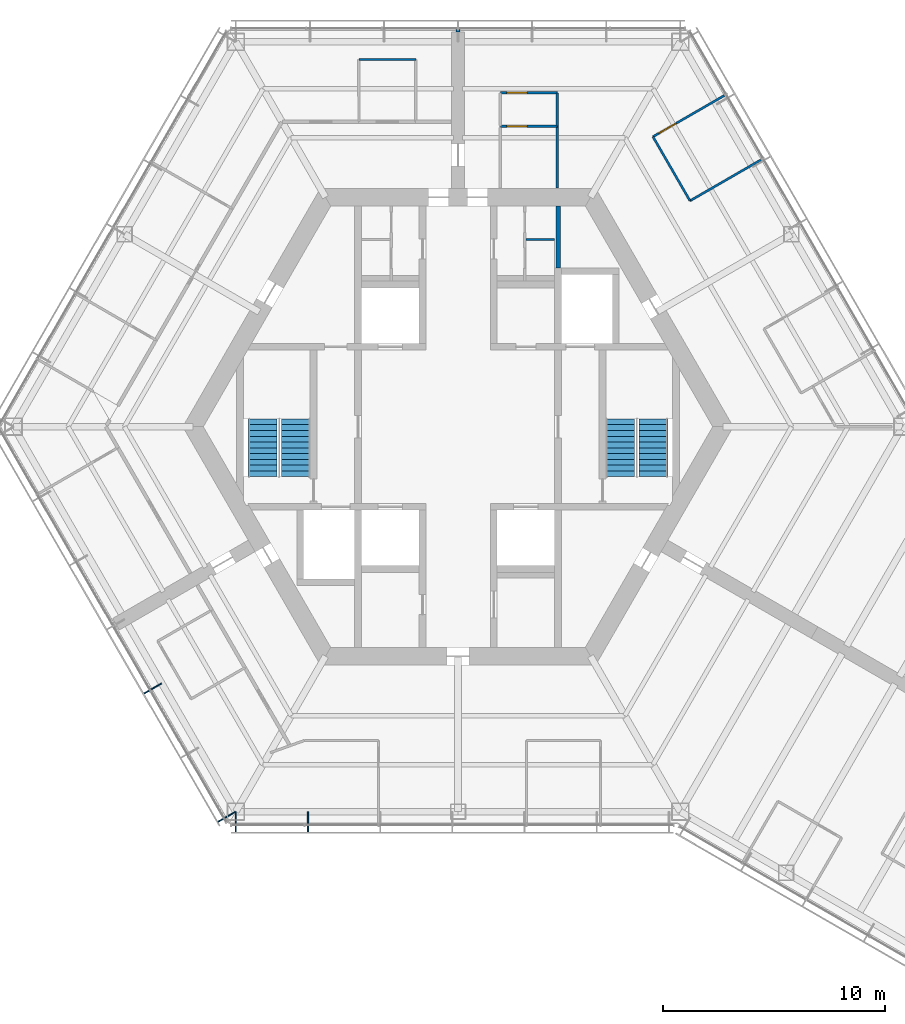
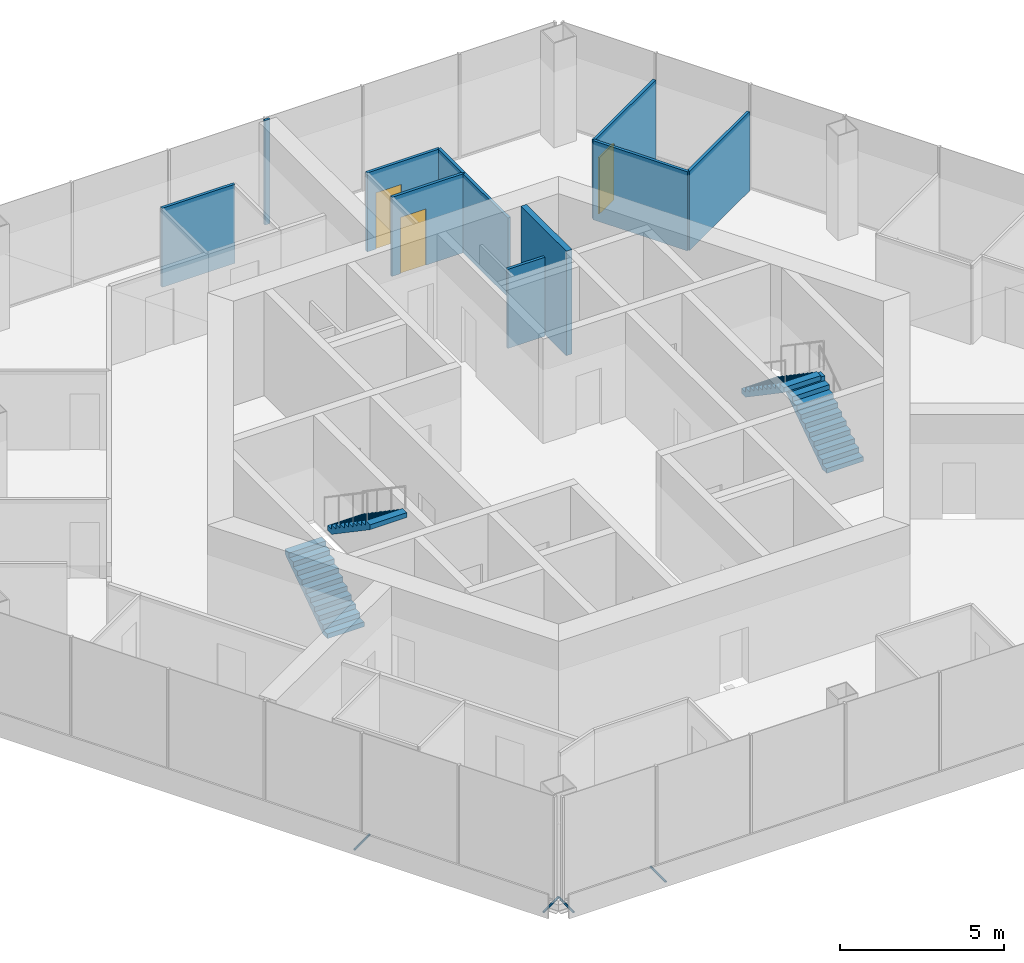
# One storey, part 13 of 16: 11 walls, 4 discrete accessories, 4 stair flights, 3 doors, 3 openings, 2 elements without a shape of their own.
"""IFC4 building model written with IfcOpenShell, lengths in metres."""

from ifc_helpers import new_model, si_unit, direction, frame, frame_2d, origin, origin_2d, place, context, subcontext, project, spatial, polyline, rectangle, hollow_circle, outline, extrude, material, layer, layer_set, material_profile, profile_set, type_object, element, fill, aggregate, save


model = new_model("IFC4")

# Units and contexts
model_context = context("Model", 3, precision=1e-05, world=origin(), true_north=direction((0.0, 1.0)))
body_context = subcontext(model_context, "Body", "Model", "MODEL_VIEW")
ifc_project = project(units=[si_unit("LENGTHUNIT", "METRE"), si_unit("AREAUNIT", "SQUARE_METRE"), si_unit("VOLUMEUNIT", "CUBIC_METRE"), si_unit("PLANEANGLEUNIT", "RADIAN"), si_unit("MASSUNIT", "GRAM", prefix="KILO")], contexts=[model_context])

# Site, building, storey
site_placement = place(None, origin())
site = spatial("IfcSite", under=ifc_project, at=site_placement, CompositionType="ELEMENT")
building_placement = place(site_placement, origin())
building = spatial("IfcBuilding", under=site, at=building_placement, Name="Kasaneha Research Tower", CompositionType="ELEMENT")
storey_placement = place(building_placement, frame((0.0, 0.0, 251.800048828125)))
storey = spatial("IfcBuildingStorey", under=building, at=storey_placement, Name="L63", CompositionType="ELEMENT", Elevation=251.800048828125)

# Wall
ifc_material_1 = material(Name="Gypsum board on steel studs, one layer each side", Category="steel")
ifc_layer_1 = layer(ifc_material_1, 0.10009765625)
ifc_layer_set_1 = layer_set([ifc_layer_1], Name="Office partition 100")
wall_type_1 = type_object("IfcWallType", Name="Office partition 100", PredefinedType="PARTITIONING", material=ifc_layer_set_1)
wall_1_placement = place(storey_placement, frame((3.050048828125, 8.425048828125, 0.0), z_axis=(0.0, 0.0, 1.0), x_axis=(1.0, 0.0, 0.0)))
element("IfcWall", 1, at=wall_1_placement, inside=storey, type_object=wall_type_1, Name="Office partition TBF2 L63", PredefinedType="PARTITIONING", context=body_context, shape_type="SweptSolid", body=[
    extrude(rectangle(XDim=1.300048828125, YDim=0.10009765625, at=frame_2d((0.64990234375, 0.0))), origin(), (0.0, 0.0, 1.0), 2.949951171875),
])

# Wall, opening, door
wall_2_placement = place(storey_placement, frame((1.89990234375, 13.52001953125, 0.0), z_axis=(0.0, 0.0, 1.0), x_axis=(1.0, 0.0, 0.0)))
wall_2 = element("IfcWall", 2, at=wall_2_placement, inside=storey, type_object=wall_type_1, Name="Office partition FAE01 L63", PredefinedType="PARTITIONING", context=body_context, shape_type="SweptSolid", body=[
    extrude(rectangle(XDim=2.565185546875, YDim=0.10009765625, at=frame_2d((1.28271484375, 0.0))), origin(), (0.0, 0.0, 1.0), 2.949951171875),
])
opening_1_placement = place(wall_2_placement, frame((0.300048828125, 0.0, 0.0)))
opening_1 = element("IfcOpeningElement", 3, at=opening_1_placement, cuts=wall_2, Name="Opening L63-D25", PredefinedType="OPENING", context=body_context, shape_type="SweptSolid", body=[
    extrude(rectangle(XDim=0.89990234375, YDim=2.10009765625, at=frame_2d((0.449951171875, 1.050048828125))), frame((0.0, 0.06005859375, 0.0), z_axis=(0.0, -1.0, 0.0), x_axis=(1.0, 0.0, 0.0)), (0.0, 0.0, 1.0), 0.1201171875),
])
ifc_material_2 = material(Name="Steel", Category="steel")
door_type_1 = type_object("IfcDoorType", Name="Toilet lobby door FD30 900x2100", OperationType="NOTDEFINED", PredefinedType="DOOR", material=ifc_material_2)
door_1_placement = place(opening_1_placement, origin())
door_1 = element("IfcDoor", 4, at=door_1_placement, inside=storey, type_object=door_type_1, Name="Women's WC door L63-D25", OperationType="SINGLE_SWING_LEFT", OverallHeight=2.10009765625, OverallWidth=0.89990234375, PredefinedType="DOOR", context=body_context, shape_type="SweptSolid", body=[
    extrude(rectangle(XDim=0.89990234375, YDim=2.10009765625, at=frame_2d((0.449951171875, 1.050048828125))), frame((0.0, 0.02490234375, 0.0), z_axis=(0.0, -1.0, 0.0), x_axis=(1.0, 0.0, 0.0)), (0.0, 0.0, 1.0), 0.050048828125),
])
fill(opening_1, door_1)

# Wall
wall_3_placement = place(storey_placement, frame((4.46044921875, 13.52490234375, 0.0), z_axis=(0.0, 0.0, 1.0), x_axis=(0.001668713644, -0.999998607696, 0.0)))
element("IfcWall", 5, at=wall_3_placement, inside=storey, type_object=wall_type_1, Name="Office partition FAE03 L63", PredefinedType="PARTITIONING", context=body_context, shape_type="SweptSolid", body=[
    extrude(rectangle(XDim=2.77978515625, YDim=0.10009765625, at=frame_2d((1.389892578125, 0.0))), origin(), (0.0, 0.0, 1.0), 2.949951171875),
])

# Wall, opening, door
wall_4_placement = place(storey_placement, frame((1.89990234375, 15.02490234375, 0.0), z_axis=(0.0, 0.0, 1.0), x_axis=(1.0, 0.0, 0.0)))
wall_4 = element("IfcWall", 6, at=wall_4_placement, inside=storey, type_object=wall_type_1, Name="Office partition FAE04 L63", PredefinedType="PARTITIONING", context=body_context, shape_type="SweptSolid", body=[
    extrude(rectangle(XDim=2.565185546875, YDim=0.10009765625, at=frame_2d((1.28271484375, 0.0))), origin(), (0.0, 0.0, 1.0), 2.949951171875),
])
opening_2_placement = place(wall_4_placement, frame((0.300048828125, 0.0, 0.0)))
opening_2 = element("IfcOpeningElement", 7, at=opening_2_placement, cuts=wall_4, Name="Opening L63-D26", PredefinedType="OPENING", context=body_context, shape_type="SweptSolid", body=[
    extrude(rectangle(XDim=0.89990234375, YDim=2.10009765625, at=frame_2d((0.449951171875, 1.050048828125))), frame((0.0, 0.06005859375, 0.0), z_axis=(0.0, -1.0, 0.0), x_axis=(1.0, 0.0, 0.0)), (0.0, 0.0, 1.0), 0.1201171875),
])
door_2_placement = place(opening_2_placement, origin())
door_2 = element("IfcDoor", 8, at=door_2_placement, inside=storey, type_object=door_type_1, Name="Toilet lobby door L63-D26", OperationType="SINGLE_SWING_LEFT", OverallHeight=2.10009765625, OverallWidth=0.89990234375, PredefinedType="DOOR", context=body_context, shape_type="SweptSolid", body=[
    extrude(rectangle(XDim=0.89990234375, YDim=2.10009765625, at=frame_2d((0.449951171875, 1.050048828125))), frame((0.0, 0.02490234375, 0.0), z_axis=(0.0, -1.0, 0.0), x_axis=(1.0, 0.0, 0.0)), (0.0, 0.0, 1.0), 0.050048828125),
])
fill(opening_2, door_2)

# Wall
wall_5_placement = place(storey_placement, frame((4.465087890625, 15.02490234375, 0.0), z_axis=(0.0, 0.0, 1.0), x_axis=(-0.00309243313, -0.999995218417, 0.0)))
element("IfcWall", 9, at=wall_5_placement, inside=storey, type_object=wall_type_1, Name="Office partition FAE06 L63", PredefinedType="PARTITIONING", context=body_context, shape_type="SweptSolid", body=[
    extrude(rectangle(XDim=1.5, YDim=0.10009765625, at=frame_2d((0.75, 0.0))), origin(), (0.0, 0.0, 1.0), 2.949951171875),
])

# Wall, opening, door
wall_6_placement = place(storey_placement, frame((8.77099609375, 13.04931640625, 0.0), z_axis=(0.0, 0.0, 1.0), x_axis=(0.866023396066, 0.500003477455, 0.0)))
wall_6 = element("IfcWall", 10, at=wall_6_placement, inside=storey, type_object=wall_type_1, Name="Office partition FAE11 L63", PredefinedType="PARTITIONING", context=body_context, shape_type="SweptSolid", body=[
    extrude(rectangle(XDim=3.7099609375, YDim=0.10009765625, at=frame_2d((1.85498046875, 0.0))), origin(), (0.0, 0.0, 1.0), 2.949951171875),
])
opening_3_placement = place(wall_6_placement, frame((0.300048828125, 0.0, 0.0)))
opening_3 = element("IfcOpeningElement", 11, at=opening_3_placement, cuts=wall_6, Name="Opening L63-D28", PredefinedType="OPENING", context=body_context, shape_type="SweptSolid", body=[
    extrude(rectangle(XDim=0.89990234375, YDim=2.10009765625, at=frame_2d((0.449951171875, 1.050048828125))), frame((0.0, 0.06005859375, 0.0), z_axis=(0.0, -1.0, 0.0), x_axis=(1.0, 0.0, 0.0)), (0.0, 0.0, 1.0), 0.1201171875),
])
ifc_material_3 = material(Name="Timber veneer", Category="wood")
door_type_2 = type_object("IfcDoorType", Name="Office door 900x2100", OperationType="SINGLE_SWING_LEFT", PredefinedType="DOOR", material=ifc_material_3)
door_3_placement = place(opening_3_placement, origin())
door_3 = element("IfcDoor", 12, at=door_3_placement, inside=storey, type_object=door_type_2, Name="Executive office door L63-D28", OperationType="SINGLE_SWING_LEFT", OverallHeight=2.10009765625, OverallWidth=0.89990234375, PredefinedType="DOOR", context=body_context, shape_type="SweptSolid", body=[
    extrude(rectangle(XDim=0.89990234375, YDim=2.10009765625, at=frame_2d((0.449951171875, 1.050048828125))), frame((0.0, 0.02490234375, 0.0), z_axis=(0.0, -1.0, 0.0), x_axis=(1.0, 0.0, 0.0)), (0.0, 0.0, 1.0), 0.050048828125),
])
fill(opening_3, door_3)

# Walls
wall_7_placement = place(storey_placement, frame((10.4365234375, 10.16455078125, 0.0), z_axis=(0.0, 0.0, 1.0), x_axis=(-0.500001606164, 0.866024476463, 0.0)))
element("IfcWall", 13, at=wall_7_placement, inside=storey, type_object=wall_type_1, Name="Office partition FAE12 L63", PredefinedType="PARTITIONING", context=body_context, shape_type="SweptSolid", body=[
    extrude(rectangle(XDim=3.3310546875, YDim=0.10009765625, at=frame_2d((1.66552734375, 0.0))), origin(), (0.0, 0.0, 1.0), 2.949951171875),
])
wall_8_placement = place(storey_placement, frame((13.623291015625, 12.00439453125, 0.0), z_axis=(0.0, 0.0, 1.0), x_axis=(-0.866029801145, -0.49999238347, 0.0)))
element("IfcWall", 14, at=wall_8_placement, inside=storey, type_object=wall_type_1, Name="Office partition FAE13 L63", PredefinedType="PARTITIONING", context=body_context, shape_type="SweptSolid", body=[
    extrude(rectangle(XDim=3.6796875, YDim=0.10009765625, at=frame_2d((1.83984375, 0.0))), origin(), (0.0, 0.0, 1.0), 2.949951171875),
])
wall_9_placement = place(storey_placement, frame((-4.465087890625, 16.52490234375, 0.0), z_axis=(0.0, 0.0, 1.0), x_axis=(1.0, 0.0, 0.0)))
element("IfcWall", 15, at=wall_9_placement, inside=storey, type_object=wall_type_1, Name="Office partition FAW04 L63", PredefinedType="PARTITIONING", context=body_context, shape_type="SweptSolid", body=[
    extrude(rectangle(XDim=2.565185546875, YDim=0.10009765625, at=frame_2d((1.28271484375, 0.0))), origin(), (0.0, 0.0, 1.0), 2.949951171875),
])
ifc_material_4 = material(Name="Concrete block", Category="concrete")
ifc_layer_2 = layer(ifc_material_4, 0.199951171875)
ifc_layer_set_2 = layer_set([ifc_layer_2], Name="Riser enclosure wall 200")
wall_type_2 = type_object("IfcWallType", Name="Riser enclosure wall 200", PredefinedType="STANDARD", material=ifc_layer_set_2)
wall_10_placement = place(storey_placement, frame((4.5, 7.14990234375, 0.0), z_axis=(0.0, 0.0, 1.0), x_axis=(0.0, 1.0, 0.0)))
element("IfcWall", 16, at=wall_10_placement, inside=storey, type_object=wall_type_2, Name="Riser enclosure wall L63", PredefinedType="STANDARD", context=body_context, shape_type="SweptSolid", body=[
    extrude(rectangle(XDim=2.775146484375, YDim=0.199951171875, at=frame_2d((1.3876953125, 0.0))), origin(), (0.0, 0.0, 1.0), 3.89990234375),
])
ifc_material_5 = material(Name="Gypsum board on steel studs, two layers each side", Category="steel")
ifc_layer_3 = layer(ifc_material_5, 0.175048828125)
ifc_layer_set_3 = layer_set([ifc_layer_3], Name="Tenancy fire partition 175")
wall_type_3 = type_object("IfcWallType", Name="Tenancy fire partition 175", PredefinedType="PARTITIONING", material=ifc_layer_set_3)
wall_11_placement = place(storey_placement, frame((0.0, 17.7705078125, 0.0), z_axis=(0.0, 0.0, 1.0), x_axis=(0.0, 1.0, 0.0)))
element("IfcWall", 17, at=wall_11_placement, inside=storey, type_object=wall_type_3, Name="Spine wall closer SW4-600 L63", PredefinedType="PARTITIONING", context=body_context, shape_type="SweptSolid", body=[
    extrude(rectangle(XDim=0.0849609375, YDim=0.175048828125, at=frame_2d((0.04248046875, 0.0))), origin(), (0.0, 0.0, 1.0), 3.89990234375),
])

# Stair, stair flights
ifc_material_6 = material(Name="Concrete Fc24", Category="concrete")
stair_type = type_object("IfcStairType", Name="Half-turn stair 22 risers", PredefinedType="HALF_TURN_STAIR", material=ifc_material_6)
stair_1_placement = place(storey_placement, origin())
stair_1 = element("IfcStair", 18, at=stair_1_placement, inside=storey, type_object=stair_type, Name="Stair 1 L63", PredefinedType="HALF_TURN_STAIR")
ifc_material_7 = material(Name="Concrete Fc24", Category="concrete")
stair_flight_type = type_object("IfcStairFlightType", Name="Stair flight 11 risers 177.3", PredefinedType="STRAIGHT", material=ifc_material_7)
stair_flight_1_placement = place(storey_placement, frame((8.800048828125, -2.25, 0.0), z_axis=(0.0, 0.0, 1.0), x_axis=(0.0, 1.0, 0.0)))
stair_flight_1 = element("IfcStairFlight", 19, at=stair_flight_1_placement, type_object=stair_flight_type, Name="ST1-22R flight 1", NumberOfRisers=11, NumberOfTreads=10, PredefinedType="STRAIGHT", RiserHeight=0.177272727, TreadLength=0.26, context=body_context, shape_type="SweptSolid", body=[
    extrude(outline(polyline([(0.0, 0.0), (0.0, 0.17724609375), (0.260009765625, 0.17724609375), (0.260009765625, 0.3544921875), (0.52001953125, 0.3544921875), (0.52001953125, 0.53173828125), (0.780029296875, 0.53173828125), (0.780029296875, 0.708984375), (1.0400390625, 0.708984375), (1.0400390625, 0.886474609375), (1.300048828125, 0.886474609375), (1.300048828125, 1.063720703125), (1.56005859375, 1.063720703125), (1.56005859375, 1.240966796875), (1.820068359375, 1.240966796875), (1.820068359375, 1.418212890625), (2.080078125, 1.418212890625), (2.080078125, 1.595458984375), (2.340087890625, 1.595458984375), (2.340087890625, 1.772705078125), (2.60009765625, 1.772705078125), (2.60009765625, 1.949951171875), (2.60009765625, 1.59130859375), (0.26611328125, 0.0), (0.0, 0.0)])), frame((0.0, 0.64990234375, 0.0), z_axis=(0.0, -1.0, 0.0), x_axis=(1.0, 0.0, 0.0)), (0.0, 0.0, 1.0), 1.300048828125),
])
stair_flight_2_placement = place(storey_placement, frame((7.300048828125, 0.35009765625, 1.949951171875), z_axis=(0.0, 0.0, 1.0), x_axis=(0.0, -1.0, 0.0)))
stair_flight_2 = element("IfcStairFlight", 20, at=stair_flight_2_placement, type_object=stair_flight_type, Name="ST1-22R flight 2", NumberOfRisers=11, NumberOfTreads=10, PredefinedType="STRAIGHT", RiserHeight=0.177272727, TreadLength=0.26, context=body_context, shape_type="SweptSolid", body=[
    extrude(outline(polyline([(0.0, 0.0), (0.0, 0.17724609375), (0.260009765625, 0.17724609375), (0.260009765625, 0.3544921875), (0.52001953125, 0.3544921875), (0.52001953125, 0.53173828125), (0.780029296875, 0.53173828125), (0.780029296875, 0.708984375), (1.0400390625, 0.708984375), (1.0400390625, 0.886474609375), (1.300048828125, 0.886474609375), (1.300048828125, 1.063720703125), (1.56005859375, 1.063720703125), (1.56005859375, 1.240966796875), (1.820068359375, 1.240966796875), (1.820068359375, 1.418212890625), (2.080078125, 1.418212890625), (2.080078125, 1.595458984375), (2.340087890625, 1.595458984375), (2.340087890625, 1.772705078125), (2.60009765625, 1.772705078125), (2.60009765625, 1.949951171875), (2.60009765625, 1.59130859375), (0.26611328125, 0.0), (0.0, 0.0)])), frame((0.0, 0.64990234375, 0.0), z_axis=(0.0, -1.0, 0.0), x_axis=(1.0, 0.0, 0.0)), (0.0, 0.0, 1.0), 1.300048828125),
])
aggregate(stair_1, [stair_flight_1, stair_flight_2])

stair_2_placement = place(storey_placement, origin())
stair_2 = element("IfcStair", 21, at=stair_2_placement, inside=storey, type_object=stair_type, Name="Stair 2 L63", PredefinedType="HALF_TURN_STAIR")
stair_flight_3_placement = place(storey_placement, frame((-8.800048828125, -2.25, 0.0), z_axis=(0.0, 0.0, 1.0), x_axis=(0.0, 1.0, 0.0)))
stair_flight_3 = element("IfcStairFlight", 22, at=stair_flight_3_placement, type_object=stair_flight_type, Name="ST2-22R flight 1", NumberOfRisers=11, NumberOfTreads=10, PredefinedType="STRAIGHT", RiserHeight=0.177272727, TreadLength=0.26, context=body_context, shape_type="SweptSolid", body=[
    extrude(outline(polyline([(0.0, 0.0), (0.0, 0.17724609375), (0.260009765625, 0.17724609375), (0.260009765625, 0.3544921875), (0.52001953125, 0.3544921875), (0.52001953125, 0.53173828125), (0.780029296875, 0.53173828125), (0.780029296875, 0.708984375), (1.0400390625, 0.708984375), (1.0400390625, 0.886474609375), (1.300048828125, 0.886474609375), (1.300048828125, 1.063720703125), (1.56005859375, 1.063720703125), (1.56005859375, 1.240966796875), (1.820068359375, 1.240966796875), (1.820068359375, 1.418212890625), (2.080078125, 1.418212890625), (2.080078125, 1.595458984375), (2.340087890625, 1.595458984375), (2.340087890625, 1.772705078125), (2.60009765625, 1.772705078125), (2.60009765625, 1.949951171875), (2.60009765625, 1.59130859375), (0.26611328125, 0.0), (0.0, 0.0)])), frame((0.0, 0.64990234375, 0.0), z_axis=(0.0, -1.0, 0.0), x_axis=(1.0, 0.0, 0.0)), (0.0, 0.0, 1.0), 1.300048828125),
])
stair_flight_4_placement = place(storey_placement, frame((-7.300048828125, 0.35009765625, 1.949951171875), z_axis=(0.0, 0.0, 1.0), x_axis=(0.0, -1.0, 0.0)))
stair_flight_4 = element("IfcStairFlight", 23, at=stair_flight_4_placement, type_object=stair_flight_type, Name="ST2-22R flight 2", NumberOfRisers=11, NumberOfTreads=10, PredefinedType="STRAIGHT", RiserHeight=0.177272727, TreadLength=0.26, context=body_context, shape_type="SweptSolid", body=[
    extrude(outline(polyline([(0.0, 0.0), (0.0, 0.17724609375), (0.260009765625, 0.17724609375), (0.260009765625, 0.3544921875), (0.52001953125, 0.3544921875), (0.52001953125, 0.53173828125), (0.780029296875, 0.53173828125), (0.780029296875, 0.708984375), (1.0400390625, 0.708984375), (1.0400390625, 0.886474609375), (1.300048828125, 0.886474609375), (1.300048828125, 1.063720703125), (1.56005859375, 1.063720703125), (1.56005859375, 1.240966796875), (1.820068359375, 1.240966796875), (1.820068359375, 1.418212890625), (2.080078125, 1.418212890625), (2.080078125, 1.595458984375), (2.340087890625, 1.595458984375), (2.340087890625, 1.772705078125), (2.60009765625, 1.772705078125), (2.60009765625, 1.949951171875), (2.60009765625, 1.59130859375), (0.26611328125, 0.0), (0.0, 0.0)])), frame((0.0, 0.64990234375, 0.0), z_axis=(0.0, -1.0, 0.0), x_axis=(1.0, 0.0, 0.0)), (0.0, 0.0, 1.0), 1.300048828125),
])
aggregate(stair_2, [stair_flight_3, stair_flight_4])

# Discrete accessories
ifc_material_8 = material(Name="Steel STK400", Category="steel")
ifc_material_profile = material_profile(ifc_material_8, hollow_circle(Radius=0.0380859375, WallThickness=0.00390625, at=origin_2d()), Name="CHS-76.3x4.0")
ifc_profile_set = profile_set([ifc_material_profile], Name="Steel STK400")
discrete_accessory_type = type_object("IfcDiscreteAccessoryType", Name="Screen bracket CHS-76.3x4.0", PredefinedType="BRACKET", material=ifc_profile_set)
discrete_accessory_1_placement = place(storey_placement, frame((-13.333984375, -11.5458984375, -0.300048828125), z_axis=(-0.866013213425, -0.500021113727, 0.0), x_axis=(0.500021113727, -0.866013213425, 0.0)))
element("IfcDiscreteAccessory", 24, at=discrete_accessory_1_placement, inside=storey, type_object=discrete_accessory_type, Name="Screen bracket 5", PredefinedType="BRACKET", context=body_context, shape_type="SweptSolid", body=[
    extrude(hollow_circle(Radius=0.0380859375, WallThickness=0.00390625, at=origin_2d()), origin(), (0.0, 0.0, 1.0), 0.919921875),
])
discrete_accessory_2_placement = place(storey_placement, frame((-10.001708984375, -17.3173828125, -0.300048828125), z_axis=(-0.866079547155, -0.499906209203, 0.0), x_axis=(0.499906209203, -0.866079547155, 0.0)))
element("IfcDiscreteAccessory", 25, at=discrete_accessory_2_placement, inside=storey, type_object=discrete_accessory_type, Name="Screen bracket 7", PredefinedType="BRACKET", context=body_context, shape_type="SweptSolid", body=[
    extrude(hollow_circle(Radius=0.0380859375, WallThickness=0.00390625, at=origin_2d()), origin(), (0.0, 0.0, 1.0), 0.920166015625),
])
for number, where, z_axis, x_axis, name in (
    (26, (-9.996337890625, -17.320556640625, -0.300048828125), (0.0, -1.0, 0.0), (1.0, 0.0, 0.0), "Screen bracket 1"),
    (27, (-6.748779296875, -17.320556640625, -0.300048828125), (0.0, -1.0, 0.0), (1.0, 0.0, 0.0), "Screen bracket 2"),
):
    element("IfcDiscreteAccessory", number, at=place(storey_placement, frame(where, z_axis=z_axis, x_axis=x_axis)), inside=storey, type_object=discrete_accessory_type, Name=name, PredefinedType="BRACKET", context=body_context, shape_type="SweptSolid", body=[
        extrude(hollow_circle(Radius=0.0380859375, WallThickness=0.00390625, at=origin_2d()), origin(), (0.0, 0.0, 1.0), 0.919921875),
    ])

save(model, "model.ifc")
